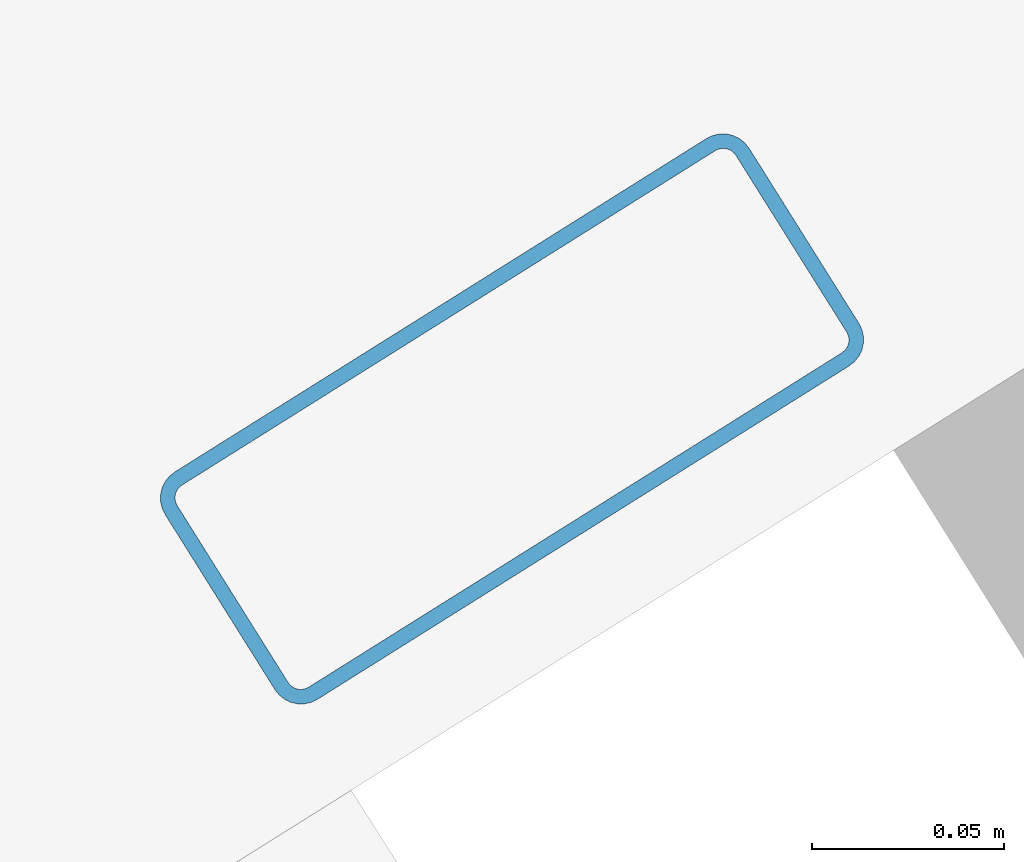
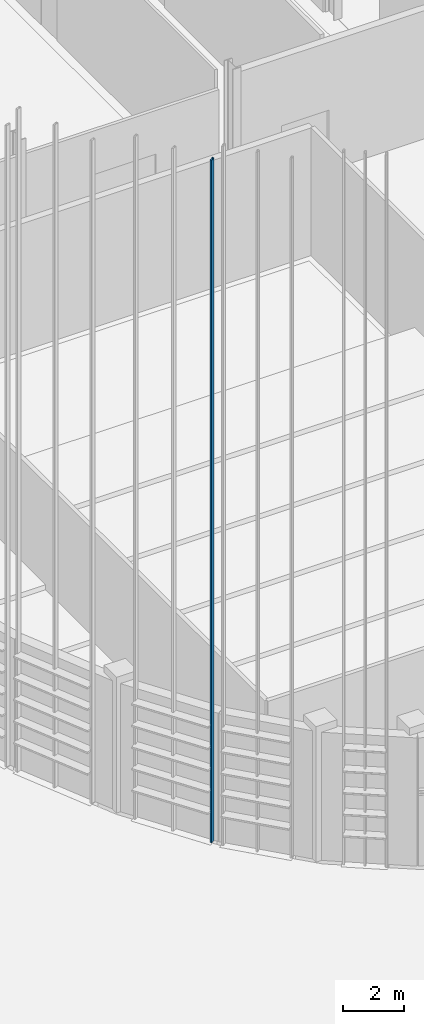
# One storey, part 21 of 372: 1 member.
"""IFC4 building model written with IfcOpenShell, lengths in metres."""

from ifc_helpers import new_model, si_unit, direction, frame, origin, origin_2d, place, context, subcontext, project, spatial, hollow_rectangle, extrude, material, material_profile, profile_set, type_object, element, save


model = new_model("IFC4")

# Units and contexts
model_context = context("Model", 3, precision=1e-05, world=origin(), true_north=direction((0.0, 1.0)))
body_context = subcontext(model_context, "Body", "Model", "MODEL_VIEW")
ifc_project = project(units=[si_unit("LENGTHUNIT", "METRE"), si_unit("AREAUNIT", "SQUARE_METRE"), si_unit("VOLUMEUNIT", "CUBIC_METRE"), si_unit("PLANEANGLEUNIT", "RADIAN"), si_unit("MASSUNIT", "GRAM", prefix="KILO")], contexts=[model_context])

# Site, building, storey
site_placement = place(None, origin())
site = spatial("IfcSite", under=ifc_project, at=site_placement, CompositionType="ELEMENT")
building_placement = place(site_placement, origin())
building = spatial("IfcBuilding", under=site, at=building_placement, Name="Kaelora Sail Theatre", CompositionType="ELEMENT")
storey_placement = place(building_placement, origin())
storey = spatial("IfcBuildingStorey", under=building, at=storey_placement, Name="L00", CompositionType="ELEMENT", Elevation=0.0)

# Member
ifc_material = material(Name="Anodised aluminium 6063-T6", Category="aluminium")
ifc_material_profile = material_profile(ifc_material, hollow_rectangle(XDim=0.070068359375, YDim=0.179931640625, WallThickness=0.00390625, InnerFilletRadius=0.00390625, OuterFilletRadius=0.008056640625, at=origin_2d()), Name="ALU-MULL 70x180x4")
ifc_profile_set = profile_set([ifc_material_profile], Name="Anodised aluminium 6063-T6")
member_type = type_object("IfcMemberType", Name="ARC-MEM-PST-160", PredefinedType="POST", material=ifc_profile_set)
member_placement = place(storey_placement, frame((31.267333984375, 29.735595703125, 0.0), z_axis=(0.0, 0.0, 1.0), x_axis=(-0.531250720758, 0.847214655028, 0.0)))
element("IfcMember", 1, at=member_placement, inside=storey, type_object=member_type, Name="Main Theatre Sail Drum solar louvre vertical support post C16-1", PredefinedType="POST", context=body_context, shape_type="SweptSolid", body=[
    extrude(hollow_rectangle(XDim=0.070068359375, YDim=0.179931640625, WallThickness=0.00390625, InnerFilletRadius=0.00390625, OuterFilletRadius=0.008056640625, at=origin_2d()), origin(), (0.0, 0.0, 1.0), 27.179443359375),
])

save(model, "model.ifc")
